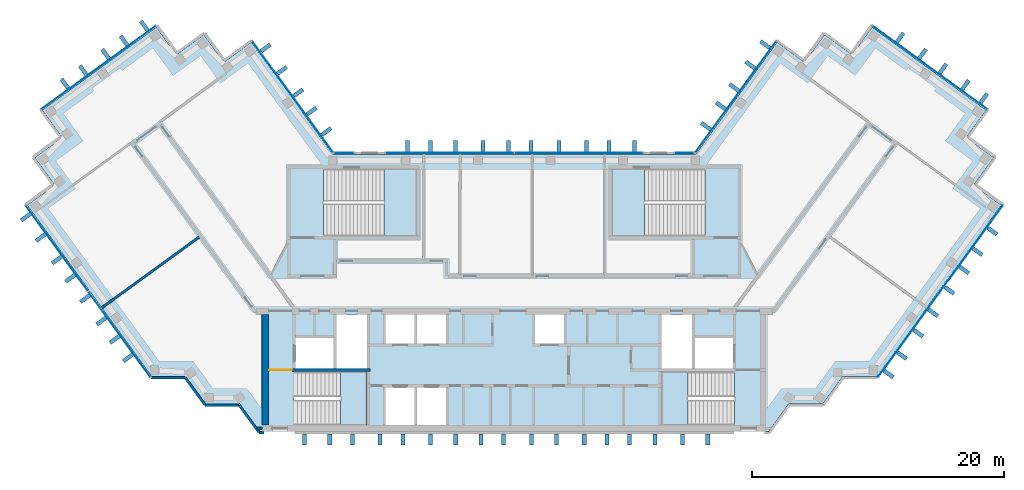
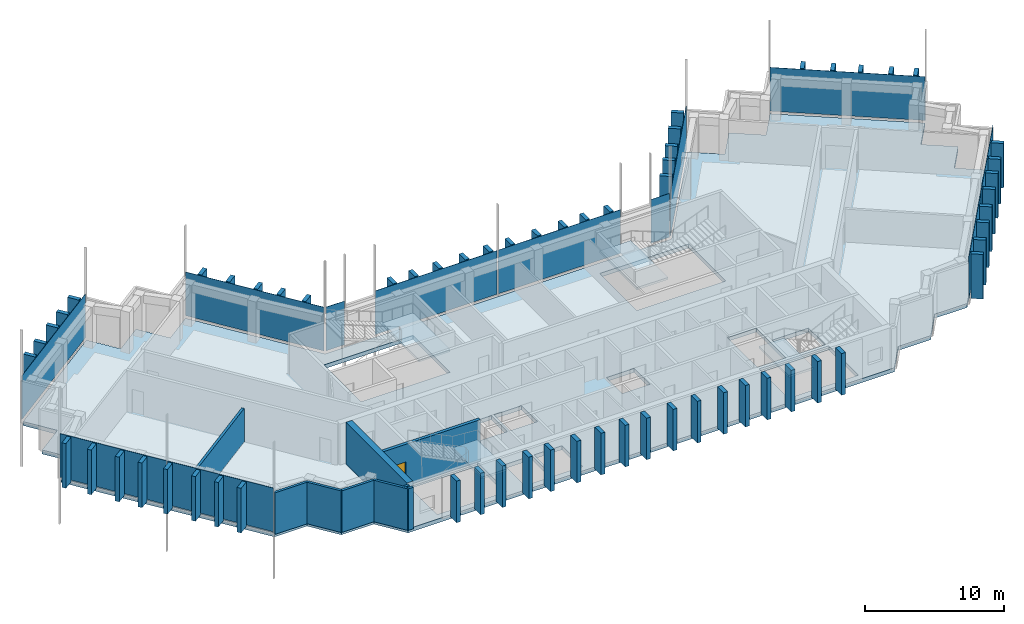
"""IFC4 building model written with IfcOpenShell, lengths in metres."""

from ifc_helpers import new_model, si_unit, direction, frame, frame_2d, origin, origin_2d, place, context, subcontext, project, spatial, polyline, rectangle, outline, extrude, material, layer, layer_set, type_object, element, fill, aggregate, save


model = new_model("IFC4")

# Units and contexts
model_context = context("Model", 3, precision=1e-05, world=origin(), true_north=direction((0.0, 1.0)))
body_context = subcontext(model_context, "Body", "Model", "MODEL_VIEW")
ifc_project = project(units=[si_unit("LENGTHUNIT", "METRE"), si_unit("AREAUNIT", "SQUARE_METRE"), si_unit("VOLUMEUNIT", "CUBIC_METRE"), si_unit("PLANEANGLEUNIT", "RADIAN"), si_unit("MASSUNIT", "GRAM", prefix="KILO")], contexts=[model_context])

# Site, building, storey
site_placement = place(None, origin())
site = spatial("IfcSite", under=ifc_project, at=site_placement, CompositionType="ELEMENT")
building_placement = place(site_placement, origin())
building = spatial("IfcBuilding", under=site, at=building_placement, Name="Quipu Civic Tower", CompositionType="ELEMENT")
storey_1_placement = place(building_placement, frame((0.0, 0.0, 335.0)))
storey_1 = spatial("IfcBuildingStorey", under=building, at=storey_1_placement, Name="L78", CompositionType="ELEMENT", Elevation=335.0)

# Slab
ifc_material_1 = material(Name="Concrete C40/50", Category="concrete")
ifc_layer_1 = layer(ifc_material_1, 0.35009765625)
ifc_layer_set_1 = layer_set([ifc_layer_1], Name="Concrete C40/50")
slab_type_1 = type_object("IfcSlabType", Name="Floor slab 350 C40/50", PredefinedType="FLOOR", material=ifc_layer_set_1)
slab_1_placement = place(storey_1_placement, frame((0.0, 0.0, -0.35009765625)))
element("IfcSlab", 1, at=slab_1_placement, inside=storey_1, type_object=slab_type_1, Name="Floor slab L78", PredefinedType="FLOOR", context=body_context, shape_type="SweptSolid", body=[
    extrude(outline(polyline([(20.860107421875, 19.89501953125), (23.0400390625, 18.31005859375), (24.6298828125, 20.4951171875), (26.81494140625, 18.905029296875), (28.39990234375, 21.090087890625), (37.4599609375, 14.5048828125), (35.875, 12.320068359375), (38.06005859375, 10.735107421875), (36.469970703125, 8.550048828125), (38.655029296875, 6.965087890625), (28.780029296875, -6.6298828125), (26.080078125, -6.6298828125), (24.489990234375, -8.81494140625), (21.7900390625, -8.81494140625), (20.205078125, -11.0), (-20.205078125, -11.0), (-21.7900390625, -8.81494140625), (-24.489990234375, -8.81494140625), (-26.080078125, -6.6298828125), (-28.780029296875, -6.6298828125), (-38.655029296875, 6.965087890625), (-36.469970703125, 8.550048828125), (-38.06005859375, 10.735107421875), (-35.875, 12.320068359375), (-37.4599609375, 14.5048828125), (-28.39990234375, 21.090087890625), (-26.81494140625, 18.905029296875), (-24.6298828125, 20.4951171875), (-23.0400390625, 18.31005859375), (-20.860107421875, 19.89501953125), (-14.39501953125, 11.0), (14.39501953125, 11.0), (20.860107421875, 19.89501953125)]), holes=[polyline([(-10.199951171875, -10.5), (-7.89990234375, -10.5), (-7.89990234375, -7.5), (-10.199951171875, -7.5), (-10.199951171875, -10.5)]), polyline([(-7.699951171875, -7.5), (-7.699951171875, -10.5), (-5.39990234375, -10.5), (-5.39990234375, -7.5), (-7.699951171875, -7.5)]), polyline([(-11.705078125, -6.2548828125), (-17.4951171875, -6.2548828125), (-17.4951171875, -10.4951171875), (-11.705078125, -10.4951171875), (-11.705078125, -6.2548828125)]), polyline([(-17.35009765625, -6.0), (-14.35009765625, -6.0), (-14.35009765625, -3.60009765625), (-17.35009765625, -3.60009765625), (-17.35009765625, -6.0)]), polyline([(-14.10009765625, -1.699951171875), (-14.10009765625, -6.0), (-11.699951171875, -6.0), (-11.699951171875, -1.699951171875), (-14.10009765625, -1.699951171875)]), polyline([(-10.199951171875, -1.699951171875), (-10.199951171875, -4.0), (-7.89990234375, -4.0), (-7.89990234375, -1.699951171875), (-10.199951171875, -1.699951171875)]), polyline([(-15.14501953125, 9.844970703125), (-15.14501953125, 4.5048828125), (-7.7548828125, 4.5048828125), (-7.7548828125, 9.844970703125), (-15.14501953125, 9.844970703125)]), polyline([(11.705078125, -10.4951171875), (17.4951171875, -10.4951171875), (17.4951171875, -6.2548828125), (11.705078125, -6.2548828125), (11.705078125, -10.4951171875)]), polyline([(14.35009765625, -3.60009765625), (14.35009765625, -6.0), (17.35009765625, -6.0), (17.35009765625, -3.60009765625), (14.35009765625, -3.60009765625)]), polyline([(11.699951171875, -1.699951171875), (11.699951171875, -6.0), (14.10009765625, -6.0), (14.10009765625, -1.699951171875), (11.699951171875, -1.699951171875)]), polyline([(-7.699951171875, -1.699951171875), (-7.699951171875, -4.0), (-5.39990234375, -4.0), (-5.39990234375, -1.699951171875), (-7.699951171875, -1.699951171875)]), polyline([(1.64990234375, -1.699951171875), (1.64990234375, -4.0), (3.949951171875, -4.0), (3.949951171875, -1.699951171875), (1.64990234375, -1.699951171875)]), polyline([(7.7548828125, 4.5048828125), (15.14501953125, 4.5048828125), (15.14501953125, 9.844970703125), (7.7548828125, 9.844970703125), (7.7548828125, 4.5048828125)])]), origin(), (0.0, 0.0, 1.0), 0.35009765625),
])

# Curtain wall, plate
ifc_material_2 = material(Name="Insulated glass unit", Category="glass")
curtain_wall_type = type_object("IfcCurtainWallType", Name="Office curtain wall CW1", PredefinedType="NOTDEFINED", material=ifc_material_2)
curtain_wall_1_placement = place(storey_1_placement, origin())
curtain_wall_1 = element("IfcCurtainWall", 2, at=curtain_wall_1_placement, inside=storey_1, type_object=curtain_wall_type, Name="Office curtain wall CW1 L77 run 1", PredefinedType="NOTDEFINED")
ifc_material_3 = material(Name="Insulated glass unit", Category="glass")
ifc_layer_2 = layer(ifc_material_3, 0.028076171875)
ifc_layer_set_2 = layer_set([ifc_layer_2], Name="Insulated glass unit")
plate_type_1 = type_object("IfcPlateType", Name="Glass panel CW1", PredefinedType="CURTAIN_PANEL", material=ifc_layer_set_2)
plate_1_placement = place(storey_1_placement, frame((-17.590087890625, 15.5673828125, 0.16015625), z_axis=(0.0, 0.0, 1.0), x_axis=(-0.587787771652, 0.809015163947, 0.0)))
plate_1 = element("IfcPlate", 3, at=plate_1_placement, type_object=plate_type_1, Name="CW1 panel 1.2", PredefinedType="CURTAIN_PANEL", context=body_context, shape_type="SweptSolid", body=[
    extrude(rectangle(XDim=10.88427734375, YDim=0.028076171875, at=origin_2d()), origin(), (0.0, 0.0, 1.0), 3.840087890625),
])
aggregate(curtain_wall_1, [plate_1])

curtain_wall_2_placement = place(storey_1_placement, origin())
curtain_wall_2 = element("IfcCurtainWall", 4, at=curtain_wall_2_placement, inside=storey_1, type_object=curtain_wall_type, Name="Office curtain wall CW1 L77 run 6", PredefinedType="NOTDEFINED")
plate_2_placement = place(storey_1_placement, frame((-32.989990234375, 17.87939453125, 0.16015625), z_axis=(0.0, 0.0, 1.0), x_axis=(-0.809015176832, -0.587787753918, 0.0)))
plate_2 = element("IfcPlate", 5, at=plate_2_placement, type_object=plate_type_1, Name="CW1 panel 1.2", PredefinedType="CURTAIN_PANEL", context=body_context, shape_type="SweptSolid", body=[
    extrude(rectangle(XDim=11.239990234375, YDim=0.028076171875, at=origin_2d()), origin(), (0.0, 0.0, 1.0), 3.840087890625),
])
aggregate(curtain_wall_2, [plate_2])

# Curtain wall, plates
curtain_wall_3_placement = place(storey_1_placement, origin())
curtain_wall_3 = element("IfcCurtainWall", 6, at=curtain_wall_3_placement, inside=storey_1, type_object=curtain_wall_type, Name="Office curtain wall CW1 L77 run 11", PredefinedType="NOTDEFINED")
plate_3_placement = place(storey_1_placement, frame((-36.292724609375, 3.54052734375, 0.16015625), z_axis=(0.0, 0.0, 1.0), x_axis=(0.587786237643, -0.809016278475, 0.0)))
plate_3 = element("IfcPlate", 7, at=plate_3_placement, type_object=plate_type_1, Name="CW1 panel 1.2", PredefinedType="CURTAIN_PANEL", context=body_context, shape_type="SweptSolid", body=[
    extrude(rectangle(XDim=8.35791015625, YDim=0.028076171875, at=origin_2d()), origin(), (0.0, 0.0, 1.0), 3.840087890625),
])
plate_4_placement = place(storey_1_placement, frame((-31.333251953125, -3.285888671875, 0.16015625), z_axis=(0.0, 0.0, 1.0), x_axis=(0.587786237643, -0.809016278475, 0.0)))
plate_4 = element("IfcPlate", 8, at=plate_4_placement, type_object=plate_type_1, Name="CW1 panel 2.2", PredefinedType="CURTAIN_PANEL", context=body_context, shape_type="SweptSolid", body=[
    extrude(rectangle(XDim=8.35791015625, YDim=0.028076171875, at=origin_2d()), origin(), (0.0, 0.0, 1.0), 3.840087890625),
])
aggregate(curtain_wall_3, [plate_3, plate_4])

# Curtain wall, plate
curtain_wall_4_placement = place(storey_1_placement, origin())
curtain_wall_4 = element("IfcCurtainWall", 9, at=curtain_wall_4_placement, inside=storey_1, type_object=curtain_wall_type, Name="Office curtain wall CW1 L77 run 21", PredefinedType="NOTDEFINED")
plate_5_placement = place(storey_1_placement, frame((32.989990234375, 17.87939453125, 0.16015625), z_axis=(0.0, 0.0, 1.0), x_axis=(-0.809015176832, 0.587787753918, 0.0)))
plate_5 = element("IfcPlate", 10, at=plate_5_placement, type_object=plate_type_1, Name="CW1 panel 1.2", PredefinedType="CURTAIN_PANEL", context=body_context, shape_type="SweptSolid", body=[
    extrude(rectangle(XDim=11.239990234375, YDim=0.028076171875, at=origin_2d()), origin(), (0.0, 0.0, 1.0), 3.840087890625),
])
aggregate(curtain_wall_4, [plate_5])

curtain_wall_5_placement = place(storey_1_placement, origin())
curtain_wall_5 = element("IfcCurtainWall", 11, at=curtain_wall_5_placement, inside=storey_1, type_object=curtain_wall_type, Name="Office curtain wall CW1 L77 run 26", PredefinedType="NOTDEFINED")
plate_6_placement = place(storey_1_placement, frame((17.590087890625, 15.5673828125, 0.16015625), z_axis=(0.0, 0.0, 1.0), x_axis=(-0.587787771652, -0.809015163947, 0.0)))
plate_6 = element("IfcPlate", 12, at=plate_6_placement, type_object=plate_type_1, Name="CW1 panel 1.2", PredefinedType="CURTAIN_PANEL", context=body_context, shape_type="SweptSolid", body=[
    extrude(rectangle(XDim=10.88427734375, YDim=0.028076171875, at=origin_2d()), origin(), (0.0, 0.0, 1.0), 3.840087890625),
])
aggregate(curtain_wall_5, [plate_6])

curtain_wall_6_placement = place(storey_1_placement, origin())
curtain_wall_6 = element("IfcCurtainWall", 13, at=curtain_wall_6_placement, inside=storey_1, type_object=curtain_wall_type, Name="Office curtain wall CW1 L77 run 27", PredefinedType="NOTDEFINED")
plate_7_placement = place(storey_1_placement, frame((13.49951171875, 11.10009765625, 0.16015625), z_axis=(0.0, 0.0, 1.0), x_axis=(-1.0, 0.0, 0.0)))
plate_7 = element("IfcPlate", 14, at=plate_7_placement, type_object=plate_type_1, Name="CW1 panel 1.2", PredefinedType="CURTAIN_PANEL", context=body_context, shape_type="SweptSolid", body=[
    extrude(rectangle(XDim=1.529296875, YDim=0.028076171875, at=origin_2d()), origin(), (0.0, 0.0, 1.0), 3.840087890625),
])
aggregate(curtain_wall_6, [plate_7])

# Curtain wall, plates
curtain_wall_7_placement = place(storey_1_placement, origin())
curtain_wall_7 = element("IfcCurtainWall", 15, at=curtain_wall_7_placement, inside=storey_1, type_object=curtain_wall_type, Name="Office curtain wall CW1 L77 run 29", PredefinedType="NOTDEFINED")
plate_8_placement = place(storey_1_placement, frame((5.11181640625, 11.10009765625, 0.16015625), z_axis=(0.0, 0.0, 1.0), x_axis=(-1.0, 0.0, 0.0)))
plate_8 = element("IfcPlate", 16, at=plate_8_placement, type_object=plate_type_1, Name="CW1 panel 1.2", PredefinedType="CURTAIN_PANEL", context=body_context, shape_type="SweptSolid", body=[
    extrude(rectangle(XDim=10.1435546875, YDim=0.028076171875, at=origin_2d()), origin(), (0.0, 0.0, 1.0), 3.840087890625),
])
plate_9_placement = place(storey_1_placement, frame((-5.11181640625, 11.10009765625, 0.16015625), z_axis=(0.0, 0.0, 1.0), x_axis=(-1.0, 0.0, 0.0)))
plate_9 = element("IfcPlate", 17, at=plate_9_placement, type_object=plate_type_1, Name="CW1 panel 2.2", PredefinedType="CURTAIN_PANEL", context=body_context, shape_type="SweptSolid", body=[
    extrude(rectangle(XDim=10.1435546875, YDim=0.028076171875, at=origin_2d()), origin(), (0.0, 0.0, 1.0), 3.840087890625),
])
aggregate(curtain_wall_7, [plate_8, plate_9])

# Curtain wall, plate
curtain_wall_8_placement = place(storey_1_placement, origin())
curtain_wall_8 = element("IfcCurtainWall", 18, at=curtain_wall_8_placement, inside=storey_1, type_object=curtain_wall_type, Name="Office curtain wall CW1 L77 run 31", PredefinedType="NOTDEFINED")
plate_10_placement = place(storey_1_placement, frame((-13.49951171875, 11.10009765625, 0.16015625), z_axis=(0.0, 0.0, 1.0), x_axis=(-1.0, 0.0, 0.0)))
plate_10 = element("IfcPlate", 19, at=plate_10_placement, type_object=plate_type_1, Name="CW1 panel 1.2", PredefinedType="CURTAIN_PANEL", context=body_context, shape_type="SweptSolid", body=[
    extrude(rectangle(XDim=1.529296875, YDim=0.028076171875, at=origin_2d()), origin(), (0.0, 0.0, 1.0), 3.840087890625),
])
aggregate(curtain_wall_8, [plate_10])

# Storey
storey_2_placement = place(building_placement, frame((0.0, 0.0, 339.0)))
storey_2 = spatial("IfcBuildingStorey", under=building, at=storey_2_placement, Name="L79", CompositionType="ELEMENT", Elevation=339.0)

# Curtain wall, plates
curtain_wall_9_placement = place(storey_2_placement, origin())
curtain_wall_9 = element("IfcCurtainWall", 20, at=curtain_wall_9_placement, inside=storey_2, type_object=curtain_wall_type, Name="Office curtain wall CW1 L78 run 4", PredefinedType="NOTDEFINED")
plate_11_placement = place(storey_1_placement, frame((31.333251953125, -3.285888671875, 0.240234375), z_axis=(0.0, 0.0, 1.0), x_axis=(0.587786237643, 0.809016278475, 0.0)))
plate_11 = element("IfcPlate", 21, at=plate_11_placement, inside=storey_1, type_object=plate_type_1, Name="CW1 panel 1.1", PredefinedType="CURTAIN_PANEL", context=body_context, shape_type="SweptSolid", body=[
    extrude(rectangle(XDim=8.35791015625, YDim=0.028076171875, at=origin_2d()), origin(), (0.0, 0.0, 1.0), 3.760009765625),
])
plate_12_placement = place(storey_1_placement, frame((36.292724609375, 3.54052734375, 0.240234375), z_axis=(0.0, 0.0, 1.0), x_axis=(0.587786237643, 0.809016278475, 0.0)))
plate_12 = element("IfcPlate", 22, at=plate_12_placement, inside=storey_1, type_object=plate_type_1, Name="CW1 panel 2.1", PredefinedType="CURTAIN_PANEL", context=body_context, shape_type="SweptSolid", body=[
    extrude(rectangle(XDim=8.35791015625, YDim=0.028076171875, at=origin_2d()), origin(), (0.0, 0.0, 1.0), 3.760009765625),
])
aggregate(curtain_wall_9, [plate_11, plate_12])

# Plates
ifc_material_4 = material(Name="Precast concrete C40/50", Category="concrete")
plate_type_2 = type_object("IfcPlateType", Name="Precast fin F3", PredefinedType="SHEET", material=ifc_material_4)
for number, where, z_axis, x_axis, name in (
    (23, (-14.90380859375, 12.805908203125, 0.080078125), (0.0, 0.0, 1.0), (-0.58778443384, 0.809017589015, 0.0), "Precast fin F3 L78.P04.1"),
    (24, (-16.079345703125, 14.424072265625, 0.080078125), (0.0, 0.0, 1.0), (-0.58778443384, 0.809017589015, 0.0), "Precast fin F3 L78.P04.2"),
    (25, (-17.137451171875, 15.880126953125, 0.080078125), (0.0, 0.0, 1.0), (-0.58778443384, 0.809017589015, 0.0), "Precast fin F3 L78.P04.3"),
    (26, (-18.4306640625, 17.66015625, 0.080078125), (0.0, 0.0, 1.0), (-0.58778443384, 0.809017589015, 0.0), "Precast fin F3 L78.P04.4"),
    (27, (-19.7236328125, 19.43994140625, 0.080078125), (0.0, 0.0, 1.0), (-0.58778443384, 0.809017589015, 0.0), "Precast fin F3 L78.P04.5"),
    (28, (-29.357177734375, 21.198486328125, 0.080078125), (0.0, 0.0, 1.0), (-0.809017072762, -0.587785144401, 0.0), "Precast fin F3 L78.P09.1"),
    (29, (-30.975341796875, 20.02294921875, 0.080078125), (0.0, 0.0, 1.0), (-0.809017072762, -0.587785144401, 0.0), "Precast fin F3 L78.P09.2"),
    (30, (-32.431640625, 18.96484375, 0.080078125), (0.0, 0.0, 1.0), (-0.809017072762, -0.587785144401, 0.0), "Precast fin F3 L78.P09.3"),
    (31, (-34.21142578125, 17.671875, 0.080078125), (0.0, 0.0, 1.0), (-0.809017072762, -0.587785144401, 0.0), "Precast fin F3 L78.P09.4"),
    (32, (-35.66748046875, 16.61376953125, 0.080078125), (0.0, 0.0, 1.0), (-0.809017072762, -0.587785144401, 0.0), "Precast fin F3 L78.P09.5"),
    (33, (-38.764892578125, 6.007568359375, 0.080078125), (0.0, 0.0, 1.0), (0.587786668783, -0.809015965233, 0.0), "Precast fin F3 L78.P14.1"),
    (34, (-37.58935546875, 4.389404296875, 0.080078125), (0.0, 0.0, 1.0), (0.587786668783, -0.809015965233, 0.0), "Precast fin F3 L78.P14.2"),
    (35, (-36.296142578125, 2.609619140625, 0.080078125), (0.0, 0.0, 1.0), (0.587786668783, -0.809015965233, 0.0), "Precast fin F3 L78.P14.3"),
    (36, (-35.23828125, 1.1533203125, 0.080078125), (0.0, 0.0, 1.0), (0.587786668783, -0.809015965233, 0.0), "Precast fin F3 L78.P14.4"),
    (37, (-34.062744140625, -0.464599609375, 0.080078125), (0.0, 0.0, 1.0), (0.587786668783, -0.809015965233, 0.0), "Precast fin F3 L78.P14.5"),
    (38, (-32.76953125, -2.244384765625, 0.080078125), (0.0, 0.0, 1.0), (0.587786668783, -0.809015965233, 0.0), "Precast fin F3 L78.P14.6"),
    (39, (-31.71142578125, -3.70068359375, 0.080078125), (0.0, 0.0, 1.0), (0.587786668783, -0.809015965233, 0.0), "Precast fin F3 L78.P14.7"),
    (40, (-30.653564453125, -5.156982421875, 0.080078125), (0.0, 0.0, 1.0), (0.587786668783, -0.809015965233, 0.0), "Precast fin F3 L78.P14.8"),
):
    element("IfcPlate", number, at=place(storey_1_placement, frame(where, z_axis=z_axis, x_axis=x_axis)), inside=storey_1, type_object=plate_type_2, Name=name, PredefinedType="SHEET", context=body_context, shape_type="SweptSolid", body=[
        extrude(rectangle(XDim=0.320068359375, YDim=0.89990234375, at=origin_2d()), origin(), (0.0, 0.0, 1.0), 3.919921875),
    ])
for number, where, z_axis, x_axis, name in (
    (41, (-16.639892578125, -11.637939453125, 0.0), (0.0, 0.0, 1.0), (1.0, 0.0, 0.0), "Precast fin F3 L78.P21.1"),
    (42, (-14.639892578125, -11.637939453125, 0.0), (0.0, 0.0, 1.0), (1.0, 0.0, 0.0), "Precast fin F3 L78.P21.2"),
    (43, (-12.840087890625, -11.637939453125, 0.0), (0.0, 0.0, 1.0), (1.0, 0.0, 0.0), "Precast fin F3 L78.P21.3"),
    (44, (-10.639892578125, -11.637939453125, 0.0), (0.0, 0.0, 1.0), (1.0, 0.0, 0.0), "Precast fin F3 L78.P21.4"),
    (45, (-8.840087890625, -11.637939453125, 0.0), (0.0, 0.0, 1.0), (1.0, 0.0, 0.0), "Precast fin F3 L78.P21.5"),
    (46, (-6.639892578125, -11.637939453125, 0.0), (0.0, 0.0, 1.0), (1.0, 0.0, 0.0), "Precast fin F3 L78.P21.6"),
    (47, (-4.639892578125, -11.637939453125, 0.0), (0.0, 0.0, 1.0), (1.0, 0.0, 0.0), "Precast fin F3 L78.P21.7"),
    (48, (-2.639892578125, -11.637939453125, 0.0), (0.0, 0.0, 1.0), (1.0, 0.0, 0.0), "Precast fin F3 L78.P21.8"),
    (49, (-0.840087890625, -11.637939453125, 0.0), (0.0, 0.0, 1.0), (1.0, 0.0, 0.0), "Precast fin F3 L78.P21.9"),
    (50, (1.360107421875, -11.637939453125, 0.0), (0.0, 0.0, 1.0), (1.0, 0.0, 0.0), "Precast fin F3 L78.P21.10"),
    (51, (3.360107421875, -11.637939453125, 0.0), (0.0, 0.0, 1.0), (1.0, 0.0, 0.0), "Precast fin F3 L78.P21.11"),
    (52, (5.56005859375, -11.637939453125, 0.0), (0.0, 0.0, 1.0), (1.0, 0.0, 0.0), "Precast fin F3 L78.P21.12"),
    (53, (7.360107421875, -11.637939453125, 0.0), (0.0, 0.0, 1.0), (1.0, 0.0, 0.0), "Precast fin F3 L78.P21.13"),
    (54, (9.159912109375, -11.637939453125, 0.0), (0.0, 0.0, 1.0), (1.0, 0.0, 0.0), "Precast fin F3 L78.P21.14"),
    (55, (11.159912109375, -11.637939453125, 0.0), (0.0, 0.0, 1.0), (1.0, 0.0, 0.0), "Precast fin F3 L78.P21.15"),
    (56, (13.360107421875, -11.637939453125, 0.0), (0.0, 0.0, 1.0), (1.0, 0.0, 0.0), "Precast fin F3 L78.P21.16"),
    (57, (15.360107421875, -11.637939453125, 0.0), (0.0, 0.0, 1.0), (1.0, 0.0, 0.0), "Precast fin F3 L78.P21.17"),
):
    element("IfcPlate", number, at=place(storey_1_placement, frame(where, z_axis=z_axis, x_axis=x_axis)), inside=storey_1, type_object=plate_type_2, Name=name, PredefinedType="SHEET", context=body_context, shape_type="SweptSolid", body=[
        extrude(rectangle(XDim=0.320068359375, YDim=0.89990234375, at=origin_2d()), origin(), (0.0, 0.0, 1.0), 3.64990234375),
    ])
for number, where, z_axis, x_axis, name in (
    (58, (37.26953125, 15.449951171875, 0.080078125), (0.0, 0.0, 1.0), (-0.809017072762, 0.587785144401, 0.0), "Precast fin F3 L78.P25.1"),
    (59, (35.813232421875, 16.508056640625, 0.080078125), (0.0, 0.0, 1.0), (-0.809017072762, 0.587785144401, 0.0), "Precast fin F3 L78.P25.2"),
    (60, (34.033447265625, 17.801025390625, 0.080078125), (0.0, 0.0, 1.0), (-0.809017072762, 0.587785144401, 0.0), "Precast fin F3 L78.P25.3"),
    (61, (32.415283203125, 18.976806640625, 0.080078125), (0.0, 0.0, 1.0), (-0.809017072762, 0.587785144401, 0.0), "Precast fin F3 L78.P25.4"),
    (62, (30.635498046875, 20.269775390625, 0.080078125), (0.0, 0.0, 1.0), (-0.809017072762, 0.587785144401, 0.0), "Precast fin F3 L78.P25.5"),
    (63, (19.914794921875, 19.702880859375, 0.080078125), (0.0, 0.0, 1.0), (-0.58778443384, -0.809017589015, 0.0), "Precast fin F3 L78.P30.1"),
    (64, (18.7392578125, 18.0849609375, 0.080078125), (0.0, 0.0, 1.0), (-0.58778443384, -0.809017589015, 0.0), "Precast fin F3 L78.P30.2"),
    (65, (17.446044921875, 16.30517578125, 0.080078125), (0.0, 0.0, 1.0), (-0.58778443384, -0.809017589015, 0.0), "Precast fin F3 L78.P30.3"),
    (66, (16.38818359375, 14.848876953125, 0.080078125), (0.0, 0.0, 1.0), (-0.58778443384, -0.809017589015, 0.0), "Precast fin F3 L78.P30.4"),
    (67, (15.212646484375, 13.230712890625, 0.080078125), (0.0, 0.0, 1.0), (-0.58778443384, -0.809017589015, 0.0), "Precast fin F3 L78.P30.5"),
    (68, (9.5400390625, 11.64990234375, 0.080078125), (0.0, 0.0, 1.0), (-1.0, 0.0, 0.0), "Precast fin F3 L78.P33.1"),
    (69, (7.5400390625, 11.64990234375, 0.080078125), (0.0, 0.0, 1.0), (-1.0, 0.0, 0.0), "Precast fin F3 L78.P33.2"),
    (70, (5.739990234375, 11.64990234375, 0.080078125), (0.0, 0.0, 1.0), (-1.0, 0.0, 0.0), "Precast fin F3 L78.P33.3"),
    (71, (3.5400390625, 11.64990234375, 0.080078125), (0.0, 0.0, 1.0), (-1.0, 0.0, 0.0), "Precast fin F3 L78.P33.4"),
    (72, (1.340087890625, 11.64990234375, 0.080078125), (0.0, 0.0, 1.0), (-1.0, 0.0, 0.0), "Precast fin F3 L78.P33.5"),
    (73, (-0.4599609375, 11.64990234375, 0.080078125), (0.0, 0.0, 1.0), (-1.0, 0.0, 0.0), "Precast fin F3 L78.P33.6"),
    (74, (-2.4599609375, 11.64990234375, 0.080078125), (0.0, 0.0, 1.0), (-1.0, 0.0, 0.0), "Precast fin F3 L78.P33.7"),
    (75, (-4.659912109375, 11.64990234375, 0.080078125), (0.0, 0.0, 1.0), (-1.0, 0.0, 0.0), "Precast fin F3 L78.P33.8"),
    (76, (-6.659912109375, 11.64990234375, 0.080078125), (0.0, 0.0, 1.0), (-1.0, 0.0, 0.0), "Precast fin F3 L78.P33.9"),
    (77, (-8.4599609375, 11.64990234375, 0.080078125), (0.0, 0.0, 1.0), (-1.0, 0.0, 0.0), "Precast fin F3 L78.P33.10"),
    (78, (29.721923828125, -6.43896484375, 0.080078125), (0.0, 0.0, 1.0), (0.587786668783, 0.809015965233, 0.0), "Precast fin F3 L78.4.1"),
    (79, (30.780029296875, -4.982666015625, 0.080078125), (0.0, 0.0, 1.0), (0.587786668783, 0.809015965233, 0.0), "Precast fin F3 L78.4.2"),
    (80, (32.0732421875, -3.202880859375, 0.080078125), (0.0, 0.0, 1.0), (0.587786668783, 0.809015965233, 0.0), "Precast fin F3 L78.4.3"),
    (81, (33.248779296875, -1.5849609375, 0.080078125), (0.0, 0.0, 1.0), (0.587786668783, 0.809015965233, 0.0), "Precast fin F3 L78.4.4"),
    (82, (34.541748046875, 0.195068359375, 0.080078125), (0.0, 0.0, 1.0), (0.587786668783, 0.809015965233, 0.0), "Precast fin F3 L78.4.5"),
    (83, (35.717529296875, 1.81298828125, 0.080078125), (0.0, 0.0, 1.0), (0.587786668783, 0.809015965233, 0.0), "Precast fin F3 L78.4.6"),
    (84, (36.775390625, 3.269287109375, 0.080078125), (0.0, 0.0, 1.0), (0.587786668783, 0.809015965233, 0.0), "Precast fin F3 L78.4.7"),
    (85, (37.950927734375, 4.88720703125, 0.080078125), (0.0, 0.0, 1.0), (0.587786668783, 0.809015965233, 0.0), "Precast fin F3 L78.4.8"),
):
    element("IfcPlate", number, at=place(storey_1_placement, frame(where, z_axis=z_axis, x_axis=x_axis)), inside=storey_1, type_object=plate_type_2, Name=name, PredefinedType="SHEET", context=body_context, shape_type="SweptSolid", body=[
        extrude(rectangle(XDim=0.320068359375, YDim=0.89990234375, at=origin_2d()), origin(), (0.0, 0.0, 1.0), 3.919921875),
    ])

# Stair, slab
ifc_material_5 = material(Name="Concrete C40/50", Category="concrete")
stair_type_1 = type_object("IfcStairType", Name="Half turn stair 2000", PredefinedType="HALF_TURN_STAIR", material=ifc_material_5)
stair_1_placement = place(storey_1_placement, origin())
stair_1 = element("IfcStair", 86, at=stair_1_placement, inside=storey_1, type_object=stair_type_1, Name="Exit stair 1", PredefinedType="HALF_TURN_STAIR")
ifc_material_6 = material(Name="Concrete C40/50", Category="concrete")
ifc_layer_3 = layer(ifc_material_6, 0.199951171875)
ifc_layer_set_3 = layer_set([ifc_layer_3], Name="Concrete C40/50")
slab_type_2 = type_object("IfcSlabType", Name="Stair landing 200", PredefinedType="LANDING", material=ifc_layer_set_3)
slab_2_placement = place(storey_1_placement, frame((0.0, 0.0, 1.800048828125)))
slab_2 = element("IfcSlab", 87, at=slab_2_placement, type_object=slab_type_2, Name="ST-1 landing 1", PredefinedType="LANDING", context=body_context, shape_type="SweptSolid", body=[
    extrude(outline(polyline([(-13.780029296875, -10.5), (-11.699951171875, -10.5), (-11.699951171875, -6.25), (-13.780029296875, -6.25), (-13.780029296875, -10.5)])), origin(), (0.0, 0.0, 1.0), 0.199951171875),
])
aggregate(stair_1, [slab_2])

stair_2_placement = place(storey_1_placement, origin())
stair_2 = element("IfcStair", 88, at=stair_2_placement, inside=storey_1, type_object=stair_type_1, Name="Exit stair 2", PredefinedType="HALF_TURN_STAIR")
slab_3_placement = place(storey_1_placement, frame((0.0, 0.0, 1.800048828125)))
slab_3 = element("IfcSlab", 89, at=slab_3_placement, type_object=slab_type_2, Name="ST-2 landing 1", PredefinedType="LANDING", context=body_context, shape_type="SweptSolid", body=[
    extrude(outline(polyline([(13.780029296875, -6.25), (11.699951171875, -6.25), (11.699951171875, -10.5), (13.780029296875, -10.5), (13.780029296875, -6.25)])), origin(), (0.0, 0.0, 1.0), 0.199951171875),
])
aggregate(stair_2, [slab_3])

ifc_material_7 = material(Name="Concrete C40/50", Category="concrete")
stair_type_2 = type_object("IfcStairType", Name="Half turn stair 2600", PredefinedType="HALF_TURN_STAIR", material=ifc_material_7)
stair_3_placement = place(storey_1_placement, origin())
stair_3 = element("IfcStair", 90, at=stair_3_placement, inside=storey_1, type_object=stair_type_2, Name="Exit stair 3", PredefinedType="HALF_TURN_STAIR")
slab_4_placement = place(storey_1_placement, frame((0.0, 0.0, 1.800048828125)))
slab_4 = element("IfcSlab", 91, at=slab_4_placement, type_object=slab_type_2, Name="ST-3 landing 1", PredefinedType="LANDING", context=body_context, shape_type="SweptSolid", body=[
    extrude(outline(polyline([(-10.35009765625, 4.5), (-7.75, 4.5), (-7.75, 9.85009765625), (-10.35009765625, 9.85009765625), (-10.35009765625, 4.5)])), origin(), (0.0, 0.0, 1.0), 0.199951171875),
])
aggregate(stair_3, [slab_4])

stair_4_placement = place(storey_1_placement, origin())
stair_4 = element("IfcStair", 92, at=stair_4_placement, inside=storey_1, type_object=stair_type_2, Name="Exit stair 4", PredefinedType="HALF_TURN_STAIR")
slab_5_placement = place(storey_1_placement, frame((0.0, 0.0, 1.800048828125)))
slab_5 = element("IfcSlab", 93, at=slab_5_placement, type_object=slab_type_2, Name="ST-4 landing 1", PredefinedType="LANDING", context=body_context, shape_type="SweptSolid", body=[
    extrude(outline(polyline([(10.35009765625, 9.85009765625), (7.75, 9.85009765625), (7.75, 4.5), (10.35009765625, 4.5), (10.35009765625, 9.85009765625)])), origin(), (0.0, 0.0, 1.0), 0.199951171875),
])
aggregate(stair_4, [slab_5])

# Wall
ifc_material_8 = material(Name="Fired clay blockwork", Category="masonry")
ifc_layer_4 = layer(ifc_material_8, 0.199951171875)
ifc_layer_set_4 = layer_set([ifc_layer_4], Name="Fired clay blockwork")
wall_type_1 = type_object("IfcWallType", Name="Blockwork wall 200", PredefinedType="SOLIDWALL", material=ifc_layer_set_4)
wall_1_placement = place(storey_1_placement, frame((-25.00830078125, 4.4267578125, 0.0), z_axis=(0.0, 0.0, 1.0), x_axis=(-0.808994684961, -0.587815957341, 0.0)))
element("IfcWall", 94, at=wall_1_placement, inside=storey_1, type_object=wall_type_1, Name="Partition P09", PredefinedType="SOLIDWALL", context=body_context, shape_type="SweptSolid", body=[
    extrude(rectangle(XDim=9.55029296875, YDim=0.199951171875, at=frame_2d((4.775146484375, 0.0))), origin(), (0.0, 0.0, 1.0), 2.949951171875),
])

# Wall, opening, door
ifc_material_9 = material(Name="Concrete C70/85", Category="concrete")
ifc_layer_5 = layer(ifc_material_9, 0.25)
ifc_layer_set_5 = layer_set([ifc_layer_5], Name="Concrete C70/85")
wall_type_2 = type_object("IfcWallType", Name="Core wall 250", PredefinedType="SHEAR", material=ifc_layer_set_5)
wall_2_placement = place(storey_1_placement, frame((-11.449951171875, -6.125, 0.0), z_axis=(0.0, 0.0, 1.0), x_axis=(-1.0, 0.0, 0.0)))
wall_2 = element("IfcWall", 95, at=wall_2_placement, inside=storey_1, type_object=wall_type_2, Name="Core wall", PredefinedType="SHEAR", context=body_context, shape_type="SweptSolid", body=[
    extrude(rectangle(XDim=8.050048828125, YDim=0.25, at=frame_2d((4.02490234375, 0.0))), origin(), (0.0, 0.0, 1.0), 3.64990234375),
])
opening_placement = place(wall_2_placement, frame((6.199951171875, 0.0, 0.0)))
opening = element("IfcOpeningElement", 96, at=opening_placement, cuts=wall_2, Name="Opening CD-09", PredefinedType="OPENING", context=body_context, shape_type="SweptSolid", body=[
    extrude(rectangle(XDim=1.800048828125, YDim=2.10009765625, at=frame_2d((0.89990234375, 1.050048828125))), frame((0.0, 0.135009765625, 0.0), z_axis=(0.0, -1.0, 0.0), x_axis=(1.0, 0.0, 0.0)), (0.0, 0.0, 1.0), 0.27001953125),
])
ifc_material_10 = material(Name="Fire rated steel door", Category="steel")
door_type = type_object("IfcDoorType", Name="Fire door FD90 double 1800 x 2100", OperationType="NOTDEFINED", PredefinedType="DOOR", material=ifc_material_10)
door_placement = place(opening_placement, origin())
door = element("IfcDoor", 97, at=door_placement, inside=storey_1, type_object=door_type, Name="Door", OperationType="DOUBLE_DOOR_SINGLE_SWING", OverallHeight=2.10009765625, OverallWidth=1.800048828125, PredefinedType="DOOR", context=body_context, shape_type="SweptSolid", body=[
    extrude(rectangle(XDim=1.800048828125, YDim=2.10009765625, at=frame_2d((0.89990234375, 1.050048828125))), frame((0.0, 0.02490234375, 0.0), z_axis=(0.0, -1.0, 0.0), x_axis=(1.0, 0.0, 0.0)), (0.0, 0.0, 1.0), 0.050048828125),
])
fill(opening, door)

# Walls
ifc_material_11 = material(Name="Concrete C70/85", Category="concrete")
ifc_layer_6 = layer(ifc_material_11, 0.5)
ifc_layer_set_6 = layer_set([ifc_layer_6], Name="Concrete C70/85")
wall_type_3 = type_object("IfcWallType", Name="Core wall 500", PredefinedType="SHEAR", material=ifc_layer_set_6)
wall_3_placement = place(storey_1_placement, frame((-19.75, -10.5, 0.0), z_axis=(0.0, 0.0, 1.0), x_axis=(0.0, 1.0, 0.0)))
element("IfcWall", 98, at=wall_3_placement, inside=storey_1, type_object=wall_type_3, Name="Core wall", PredefinedType="SHEAR", context=body_context, shape_type="SweptSolid", body=[
    extrude(rectangle(XDim=8.800048828125, YDim=0.5, at=frame_2d((4.39990234375, 0.0))), origin(), (0.0, 0.0, 1.0), 3.64990234375),
])
ifc_material_12 = material(Name="Precast concrete C40/50", Category="concrete")
wall_type_4 = type_object("IfcWallType", Name="Precast cladding wall", PredefinedType="SOLIDWALL", material=ifc_material_12)
wall_4_placement = place(storey_1_placement, frame((-28.829833984375, -6.71923828125, 0.0), z_axis=(0.0, 0.0, 1.0), x_axis=(1.0, 0.0, 0.0)))
element("IfcWall", 99, at=wall_4_placement, inside=storey_1, type_object=wall_type_4, Name="Precast cladding wall L78 P15", PredefinedType="SOLIDWALL", context=body_context, shape_type="SweptSolid", body=[
    extrude(rectangle(XDim=2.699951171875, YDim=0.199951171875, at=frame_2d((1.35009765625, 0.0))), origin(), (0.0, 0.0, 1.0), 3.64990234375),
])
wall_5_placement = place(storey_1_placement, frame((-26.1201171875, -6.72412109375, 0.0), z_axis=(0.0, 0.0, 1.0), x_axis=(0.587720002413, -0.809064397168, 0.0)))
element("IfcWall", 100, at=wall_5_placement, inside=storey_1, type_object=wall_type_4, Name="Precast cladding wall L78 P16", PredefinedType="SOLIDWALL", context=body_context, shape_type="SweptSolid", body=[
    extrude(rectangle(XDim=2.7001953125, YDim=0.199951171875, at=frame_2d((1.35009765625, 0.0))), origin(), (0.0, 0.0, 1.0), 3.64990234375),
])
wall_6_placement = place(storey_1_placement, frame((-24.542724609375, -8.90380859375, 0.0), z_axis=(0.0, 0.0, 1.0), x_axis=(1.0, 0.0, 0.0)))
element("IfcWall", 101, at=wall_6_placement, inside=storey_1, type_object=wall_type_4, Name="Precast cladding wall L78 P17", PredefinedType="SOLIDWALL", context=body_context, shape_type="SweptSolid", body=[
    extrude(rectangle(XDim=2.699951171875, YDim=0.199951171875, at=frame_2d((1.35009765625, 0.0))), origin(), (0.0, 0.0, 1.0), 3.64990234375),
])
wall_7_placement = place(storey_1_placement, frame((-21.8330078125, -8.90869140625, 0.0), z_axis=(0.0, 0.0, 1.0), x_axis=(0.587766567315, -0.809030569476, 0.0)))
element("IfcWall", 102, at=wall_7_placement, inside=storey_1, type_object=wall_type_4, Name="Precast cladding wall L78 P18", PredefinedType="SOLIDWALL", context=body_context, shape_type="SweptSolid", body=[
    extrude(rectangle(XDim=2.687744140625, YDim=0.199951171875, at=frame_2d((1.34375, 0.0))), origin(), (0.0, 0.0, 1.0), 3.64990234375),
])
wall_8_placement = place(storey_1_placement, frame((-20.255859375, -11.087890625, 0.0), z_axis=(0.0, 0.0, 1.0), x_axis=(1.0, 0.0, 0.0)))
element("IfcWall", 103, at=wall_8_placement, inside=storey_1, type_object=wall_type_4, Name="Precast cladding wall L78 P19", PredefinedType="SOLIDWALL", context=body_context, shape_type="SweptSolid", body=[
    extrude(rectangle(XDim=0.40576171875, YDim=0.199951171875, at=frame_2d((0.202880859375, 0.0))), origin(), (0.0, 0.0, 1.0), 3.64990234375),
])
wall_9_placement = place(storey_1_placement, frame((-19.97998046875, -10.75, 0.0), z_axis=(0.0, 0.0, 1.0), x_axis=(-1.0, 0.0, 0.0)))
element("IfcWall", 104, at=wall_9_placement, inside=storey_1, type_object=wall_type_4, Name="Precast cladding return L78 W", PredefinedType="SOLIDWALL", context=body_context, shape_type="SweptSolid", body=[
    extrude(rectangle(XDim=0.41650390625, YDim=0.199951171875, at=frame_2d((0.208251953125, 0.0))), origin(), (0.0, 0.0, 1.0), 3.64990234375),
])

save(model, "model.ifc")
